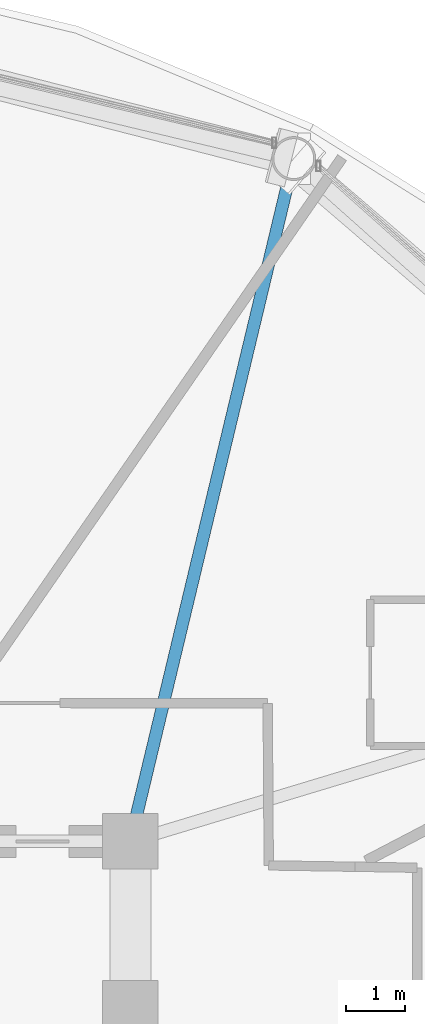
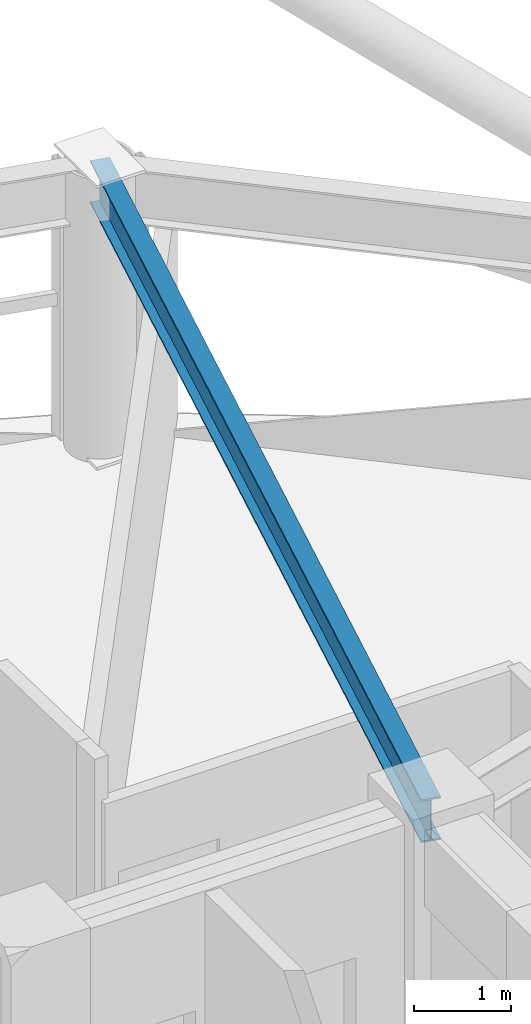
# One storey, part 17 of 29: 1 beam.
"""IFC4 building model written with IfcOpenShell, lengths in metres."""

import ifcopenshell
import ifcopenshell.guid

model = None  # the IFC model being written
_history = None  # IfcOwnerHistory: only IFC2X3 demands one
_inside = {}  # id of a spatial element -> (the spatial element, [elements in it])
_under = {}  # id of a project, library or spatial element -> (it, [spatial elements below it])
_declared = {}  # id of a project -> (the project, [libraries it declares])
_typed = {}  # id of a type object -> (the type object, [elements of that type])
_made_of = {}  # id of a material, layer set ... -> (it, [elements and type objects made of it])


def new_model(schema):
    """Start an empty IFC model of exactly this schema.

    Asked for "IFC4X3", IfcOpenShell would pick the latest addendum, in which some entities
    have other attributes; the version numbers below select the first issue.
    IFC2X3 requires an IfcOwnerHistory on every rooted entity: one is made here for all.
    """
    global model, _history
    if schema == "IFC4X3":
        model = ifcopenshell.file(schema_version=(4, 3, 0, 0))
    else:
        model = ifcopenshell.file(schema=schema)
    _inside.clear()
    _under.clear()
    _declared.clear()
    _typed.clear()
    _made_of.clear()
    _history = None
    if model.schema == "IFC2X3":
        org = make("IfcOrganization", Name="unknown")
        user = make(
            "IfcPersonAndOrganization",
            ThePerson=make("IfcPerson", FamilyName="unknown"),
            TheOrganization=org,
        )
        app = make(
            "IfcApplication",
            ApplicationDeveloper=org,
            Version="unknown",
            ApplicationFullName="unknown",
            ApplicationIdentifier="unknown",
        )
        _history = make(
            "IfcOwnerHistory",
            OwningUser=user,
            OwningApplication=app,
            ChangeAction="ADDED",
            CreationDate=0,
        )
    return model


def make(cls, **values):
    """One entity of the class cls with the attributes given. An attribute that is None is left unset."""
    return model.create_entity(
        cls, **{name: value for name, value in values.items() if value is not None}
    )


def rooted(cls, **values):
    """An entity with a GlobalId (a new one), such as an element, a storey or a relation."""
    return make(cls, GlobalId=ifcopenshell.guid.new(), OwnerHistory=_history, **values)


def si_unit(unit_type, name, prefix=None):
    """IfcSIUnit, for example si_unit("LENGTHUNIT", "METRE", prefix="MILLI")."""
    return make("IfcSIUnit", UnitType=unit_type, Prefix=prefix, Name=name)


def assignment(units):
    """IfcUnitAssignment: the units of a project."""
    return None if units is None else make("IfcUnitAssignment", Units=units)


def point(xyz):
    """IfcCartesianPoint."""
    return None if xyz is None else make("IfcCartesianPoint", Coordinates=xyz)


def direction(xyz):
    """IfcDirection."""
    return None if xyz is None else make("IfcDirection", DirectionRatios=xyz)


def frame(location, z_axis=None, x_axis=None):
    """IfcAxis2Placement3D, a coordinate frame: its origin and axes. An axis left out is left unset."""
    return make(
        "IfcAxis2Placement3D",
        Location=point(location),
        Axis=direction(z_axis),
        RefDirection=direction(x_axis),
    )


def frame_2d(location, x_axis=None):
    """IfcAxis2Placement2D, a coordinate frame in the plane: its origin and x axis."""
    return make(
        "IfcAxis2Placement2D", Location=point(location), RefDirection=direction(x_axis)
    )


def origin():
    """The frame at (0, 0, 0) with its axes left unset."""
    return frame((0.0, 0.0, 0.0))


def origin_2d():
    """The frame at (0, 0) in the plane with its x axis left unset."""
    return frame_2d((0.0, 0.0))


def place(relative_to, where):
    """IfcLocalPlacement: puts the frame where relative to a parent placement (None: the world)."""
    return make(
        "IfcLocalPlacement", PlacementRelTo=relative_to, RelativePlacement=where
    )


def context(
    kind, dimensions, precision=None, world=None, true_north=None, identifier=None
):
    """IfcGeometricRepresentationContext, for example the 3D "Model" context."""
    return make(
        "IfcGeometricRepresentationContext",
        ContextIdentifier=identifier,
        ContextType=kind,
        CoordinateSpaceDimension=dimensions,
        Precision=precision,
        WorldCoordinateSystem=world,
        TrueNorth=true_north,
    )


def subcontext(parent, identifier, kind, view, scale=None):
    """IfcGeometricRepresentationSubContext, for example "Body" below "Model"."""
    return make(
        "IfcGeometricRepresentationSubContext",
        ContextIdentifier=identifier,
        ContextType=kind,
        ParentContext=parent,
        TargetScale=scale,
        TargetView=view,
    )


def project(units=None, contexts=None):
    """IfcProject with its units and contexts."""
    return rooted(
        "IfcProject",
        Name="project",
        RepresentationContexts=contexts,
        UnitsInContext=assignment(units),
    )


def spatial(cls, under=None, at=None, **own):
    """A site, building, storey or space (cls), placed at a placement, below another one or the project."""
    s = rooted(cls, ObjectPlacement=at, **own)
    if under is not None:
        _under.setdefault(under.id(), (under, []))[1].append(s)
    return s


def profile(cls, at=None, kind="AREA", **sizes):
    """A parametric profile (cls). Its sizes go by their IFC names, for example OverallWidth=200.0."""
    return make(cls, ProfileType=kind, Position=at, **sizes)


def i_section(**sizes):
    """IfcIShapeProfileDef."""
    return profile("IfcIShapeProfileDef", **sizes)


def extrude(swept, where, along, depth):
    """IfcExtrudedAreaSolid: the profile swept, set in the frame where, extruded along a direction by depth."""
    return make(
        "IfcExtrudedAreaSolid",
        SweptArea=swept,
        Position=where,
        ExtrudedDirection=direction(along),
        Depth=depth,
    )


def shape(context_of_items, identifier, shape_type, items):
    """IfcShapeRepresentation: the items that make up one representation, for example the "Body"."""
    return make(
        "IfcShapeRepresentation",
        ContextOfItems=context_of_items,
        RepresentationIdentifier=identifier,
        RepresentationType=shape_type,
        Items=items,
    )


def material(Name=None, Category=None):
    """IfcMaterial."""
    return make("IfcMaterial", Name=Name, Category=Category)


def material_profile(
    of_material, cross_section, Name=None, Category=None, Priority=None
):
    """IfcMaterialProfile: a cross section and its material."""
    return make(
        "IfcMaterialProfile",
        Name=Name,
        Material=of_material,
        Profile=cross_section,
        Priority=Priority,
        Category=Category,
    )


def profile_set(profiles, Name=None, composite=None):
    """IfcMaterialProfileSet."""
    return make(
        "IfcMaterialProfileSet",
        Name=Name,
        MaterialProfiles=profiles,
        CompositeProfile=composite,
    )


def made_of(thing, what):
    """Note that an element or type object is made of a material, layer set ...; save() writes the relation."""
    if what is not None:
        _made_of.setdefault(what.id(), (what, []))[1].append(thing)
    return thing


def type_object(cls, material=None, **own):
    """A type object (cls), such as IfcWallType, which elements share."""
    return made_of(rooted(cls, **own), material)


def element(
    cls,
    number,
    at=None,
    inside=None,
    cuts=None,
    type_object=None,
    material=None,
    context=None,
    identifier="Body",
    shape_type=None,
    held_by="IfcProductDefinitionShape",
    body=None,
    shapes=None,
    **own,
):
    """One element of the class cls, such as IfcWall. Its Tag is "e" and its number.

    at: its placement. inside: the storey or other place that contains it. cuts: it is an
    opening in that element (IfcRelVoidsElement). A single representation is given by context,
    identifier, shape_type and body (its items); several are given by shapes. held_by: the class
    of the entity that holds the representations. save() writes the other relations.
    """
    e = rooted(cls, Tag="e%d" % number, ObjectPlacement=at, **own)
    if body is not None:
        shapes = [shape(context, identifier, shape_type, body)]
    if shapes is not None:
        e.Representation = make(held_by, Representations=shapes)
    if inside is not None:
        _inside.setdefault(inside.id(), (inside, []))[1].append(e)
    if cuts is not None:
        rooted(
            "IfcRelVoidsElement", RelatingBuildingElement=cuts, RelatedOpeningElement=e
        )
    if type_object is not None:
        _typed.setdefault(type_object.id(), (type_object, []))[1].append(e)
    return made_of(e, material)


def aggregate(whole, parts):
    """IfcRelAggregates: a whole, such as a stair, and the parts it consists of."""
    return rooted("IfcRelAggregates", RelatingObject=whole, RelatedObjects=parts)


def save(model, path):
    """Write the relations noted so far, then the file.

    IfcRelAggregates (storeys below a building ...), IfcRelContainedInSpatialStructure (elements
    in a storey), IfcRelDefinesByType, IfcRelAssociatesMaterial and IfcRelDeclares: one each for
    every whole, place, type object, material and project.
    """
    for whole, parts in _under.values():
        aggregate(whole, parts)
    for where, things in _inside.values():
        rooted(
            "IfcRelContainedInSpatialStructure",
            RelatedElements=things,
            RelatingStructure=where,
        )
    for kind, things in _typed.values():
        rooted("IfcRelDefinesByType", RelatedObjects=things, RelatingType=kind)
    for what, things in _made_of.values():
        rooted("IfcRelAssociatesMaterial", RelatedObjects=things, RelatingMaterial=what)
    for by, libraries in _declared.values():
        rooted("IfcRelDeclares", RelatingContext=by, RelatedDefinitions=libraries)
    model.write(path)


model = new_model("IFC4")

# Units and contexts
model_context = context("Model", 3, precision=1e-05, world=origin(), true_north=direction((0.0, 1.0)))
body_context = subcontext(model_context, "Body", "Model", "MODEL_VIEW")
ifc_project = project(units=[si_unit("LENGTHUNIT", "METRE"), si_unit("AREAUNIT", "SQUARE_METRE"), si_unit("VOLUMEUNIT", "CUBIC_METRE"), si_unit("PLANEANGLEUNIT", "RADIAN"), si_unit("MASSUNIT", "GRAM", prefix="KILO")], contexts=[model_context])

# Site, building, storey
site_placement = place(None, origin())
site = spatial("IfcSite", under=ifc_project, at=site_placement, CompositionType="ELEMENT")
building_placement = place(site_placement, origin())
building = spatial("IfcBuilding", under=site, at=building_placement, Name="Vantalir Tower", CompositionType="ELEMENT")
storey_placement = place(building_placement, frame((0.0, 0.0, 157.199951171875)))
storey = spatial("IfcBuildingStorey", under=building, at=storey_placement, Name="L39", CompositionType="ELEMENT", Elevation=157.199951171875)

# Beam
ifc_material = material(Name="Steel S355", Category="steel")
ifc_material_profile = material_profile(ifc_material, i_section(OverallWidth=0.2109375, OverallDepth=0.5390625, WebThickness=0.01171875, FlangeThickness=0.018798828125, at=origin_2d()), Name="Steel S355")
ifc_profile_set = profile_set([ifc_material_profile], Name="Steel S355")
beam_type = type_object("IfcBeamType", Name="BM-RB-533x210", PredefinedType="BEAM", material=ifc_profile_set)
beam_placement = place(storey_placement, frame((43.89208984375, 44.112060546875, 3.301025390625), z_axis=(-0.232827745241, -0.972517990089, 0.0), x_axis=(0.972517990089, -0.232827745241, 0.0)))
element("IfcBeam", 1, at=beam_placement, inside=storey, type_object=beam_type, Name="L39 Radial Floor Beam 03", PredefinedType="BEAM", context=body_context, shape_type="SweptSolid", body=[
    extrude(i_section(OverallWidth=0.2109375, OverallDepth=0.5390625, WebThickness=0.01171875, FlangeThickness=0.018798828125, at=origin_2d()), origin(), (0.0, 0.0, 1.0), 11.99169921875),
])

save(model, "model.ifc")
